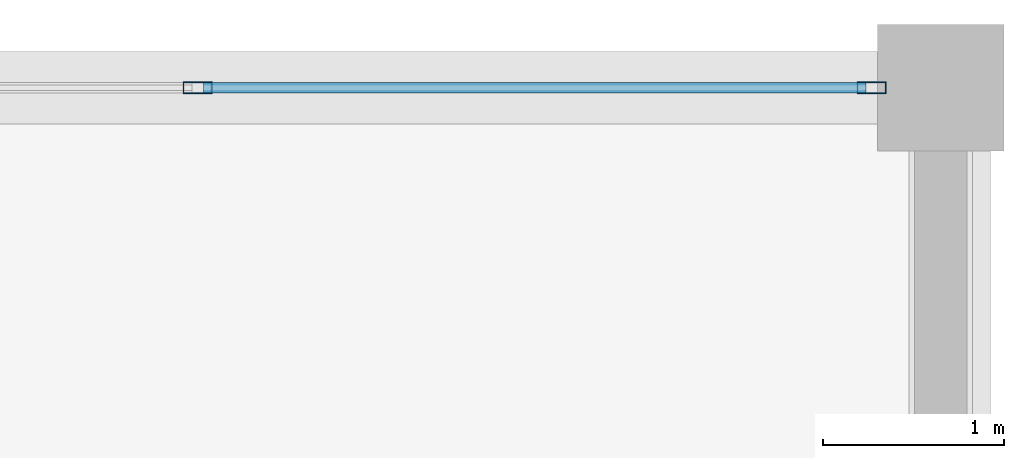
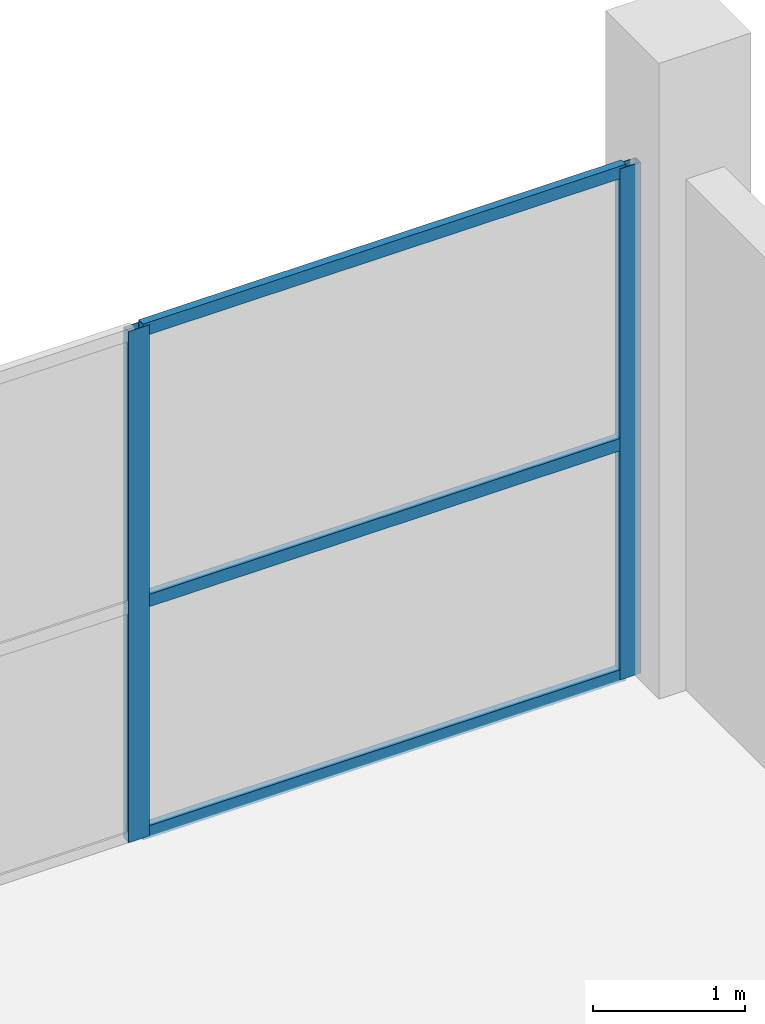
# One storey, part 47 of 67: 5 members, 1 element without a shape of its own.
"""IFC4 building model written with IfcOpenShell, lengths in metres."""

from ifc_helpers import new_model, si_unit, direction, frame, origin, origin_2d, place, context, subcontext, project, spatial, hollow_rectangle, extrude, material, layer, layer_set, material_profile, profile_set, type_object, element, aggregate, save


model = new_model("IFC4")

# Units and contexts
model_context = context("Model", 3, precision=1e-05, world=origin(), true_north=direction((0.0, 1.0)))
body_context = subcontext(model_context, "Body", "Model", "MODEL_VIEW")
ifc_project = project(units=[si_unit("LENGTHUNIT", "METRE"), si_unit("AREAUNIT", "SQUARE_METRE"), si_unit("VOLUMEUNIT", "CUBIC_METRE"), si_unit("PLANEANGLEUNIT", "RADIAN"), si_unit("MASSUNIT", "GRAM", prefix="KILO")], contexts=[model_context])

# Site, building, storey
site_placement = place(None, origin())
site = spatial("IfcSite", under=ifc_project, at=site_placement, CompositionType="ELEMENT")
building_placement = place(site_placement, origin())
building = spatial("IfcBuilding", under=site, at=building_placement, Name="Sillaruma Civic Art Gallery", CompositionType="ELEMENT")
storey_placement = place(building_placement, frame((0.0, 0.0, 46.919921875)))
storey = spatial("IfcBuildingStorey", under=building, at=storey_placement, Name="L09", CompositionType="ELEMENT", Elevation=46.919921875)

# Curtain wall, members
ifc_material = material(Name="Thermally Broken Extruded Aluminium 6063-T6", Category="aluminium")
ifc_layer = layer(ifc_material, 0.159912109375, Name="Thermally Broken Extruded Aluminium 6063-T6")
ifc_layer_set = layer_set([ifc_layer], Name="Thermally Broken Extruded Aluminium 6063-T6")
curtain_wall_type = type_object("IfcCurtainWallType", Name="CW-UNI-74", PredefinedType="NOTDEFINED", material=ifc_layer_set)
curtain_wall_placement = place(storey_placement, origin())
curtain_wall = element("IfcCurtainWall", 1, at=curtain_wall_placement, inside=storey, type_object=curtain_wall_type, Name="Unitised Curtain Wall CW-74 (CW-L09-EBN-2)", PredefinedType="NOTDEFINED")
ifc_material_profile_1 = material_profile(ifc_material, hollow_rectangle(XDim=0.06494140625, YDim=0.159912109375, WallThickness=0.00390625, at=origin_2d()), Name="CWM65x160")
ifc_profile_set_1 = profile_set([ifc_material_profile_1], Name="Thermally Broken Extruded Aluminium 6063-T6")
member_type_1 = type_object("IfcMemberType", Name="MEM-MUL-CWM65x160", PredefinedType="MULLION", material=ifc_profile_set_1)
member_1_placement = place(storey_placement, frame((110.28759765625, 99.0, 0.0), z_axis=(0.0, 0.0, 1.0), x_axis=(0.0, 1.0, 0.0)))
member_1 = element("IfcMember", 2, at=member_1_placement, type_object=member_type_1, Name="CW-74 mullion 2", PredefinedType="MULLION", context=body_context, shape_type="SweptSolid", body=[
    extrude(hollow_rectangle(XDim=0.06494140625, YDim=0.159912109375, WallThickness=0.00390625, at=origin_2d()), origin(), (0.0, 0.0, 1.0), 4.10009765625),
])
member_2_placement = place(storey_placement, frame((114.017578125, 99.0, 0.0), z_axis=(0.0, 0.0, 1.0), x_axis=(0.0, 1.0, 0.0)))
member_2 = element("IfcMember", 3, at=member_2_placement, type_object=member_type_1, Name="CW-74 mullion 3", PredefinedType="MULLION", context=body_context, shape_type="SweptSolid", body=[
    extrude(hollow_rectangle(XDim=0.06494140625, YDim=0.159912109375, WallThickness=0.00390625, at=origin_2d()), origin(), (0.0, 0.0, 1.0), 4.10009765625),
])
ifc_material_profile_2 = material_profile(ifc_material, hollow_rectangle(XDim=0.06005859375, YDim=0.10009765625, WallThickness=0.003173828125, at=origin_2d()), Name="CWT60x100")
ifc_profile_set_2 = profile_set([ifc_material_profile_2], Name="Thermally Broken Extruded Aluminium 6063-T6")
member_type_2 = type_object("IfcMemberType", Name="MEM-TRN-CWT60x100", PredefinedType="USERDEFINED", material=ifc_profile_set_2)
member_3_placement = place(storey_placement, frame((110.320068359375, 99.0, 0.030029296875), z_axis=(1.0, 0.0, 0.0), x_axis=(0.0, 1.0, 0.0)))
member_3 = element("IfcMember", 4, at=member_3_placement, type_object=member_type_2, Name="CW-74 transom 2.1", ObjectType="TRANSOM", PredefinedType="USERDEFINED", context=body_context, shape_type="SweptSolid", body=[
    extrude(hollow_rectangle(XDim=0.06005859375, YDim=0.10009765625, WallThickness=0.003173828125, at=origin_2d()), origin(), (0.0, 0.0, 1.0), 3.6650390625),
])
member_4_placement = place(storey_placement, frame((110.320068359375, 99.0, 1.885986328125), z_axis=(1.0, 0.0, 0.0), x_axis=(0.0, 1.0, 0.0)))
member_4 = element("IfcMember", 5, at=member_4_placement, type_object=member_type_2, Name="CW-74 transom 2.2", ObjectType="TRANSOM", PredefinedType="USERDEFINED", context=body_context, shape_type="SweptSolid", body=[
    extrude(hollow_rectangle(XDim=0.06005859375, YDim=0.10009765625, WallThickness=0.003173828125, at=origin_2d()), origin(), (0.0, 0.0, 1.0), 3.6650390625),
])
member_5_placement = place(storey_placement, frame((110.320068359375, 99.0, 4.070068359375), z_axis=(1.0, 0.0, 0.0), x_axis=(0.0, 1.0, 0.0)))
member_5 = element("IfcMember", 6, at=member_5_placement, type_object=member_type_2, Name="CW-74 transom 2.3", ObjectType="TRANSOM", PredefinedType="USERDEFINED", context=body_context, shape_type="SweptSolid", body=[
    extrude(hollow_rectangle(XDim=0.06005859375, YDim=0.10009765625, WallThickness=0.003173828125, at=origin_2d()), origin(), (0.0, 0.0, 1.0), 3.6650390625),
])
aggregate(curtain_wall, [member_1, member_2, member_3, member_4, member_5])

save(model, "model.ifc")
